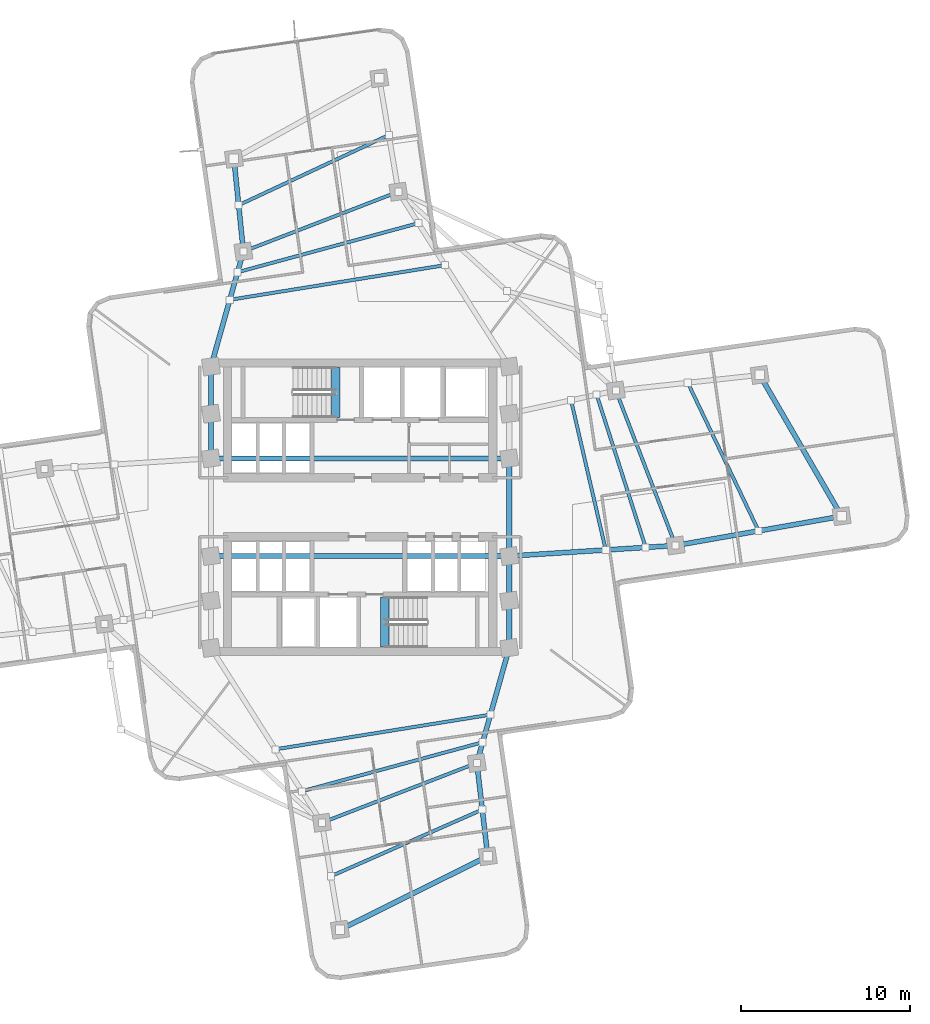
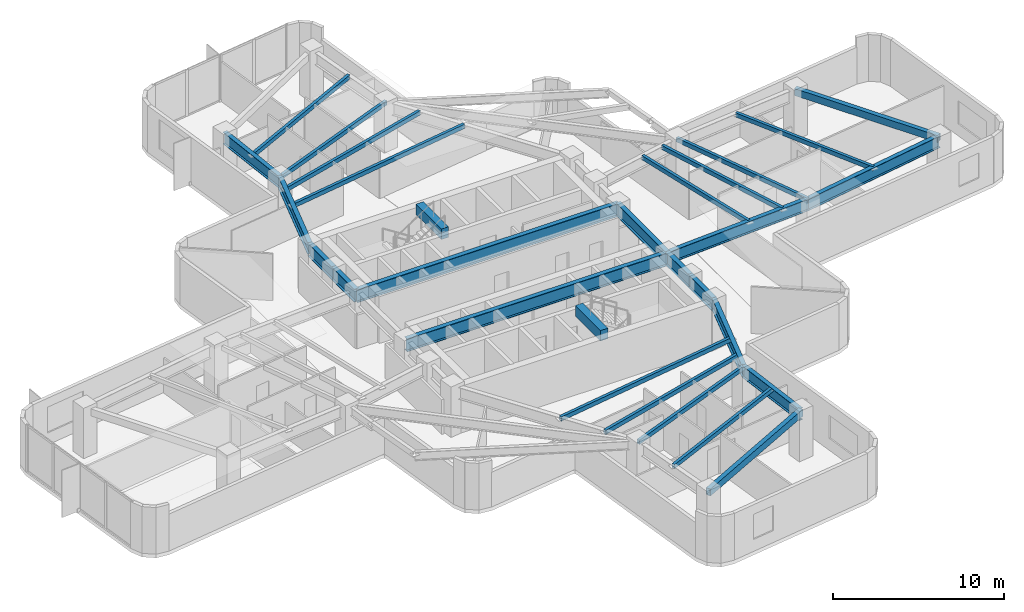
# One storey, part 3 of 13: 29 beams.
"""IFC4 building model written with IfcOpenShell, lengths in metres."""

from ifc_helpers import new_model, si_unit, direction, frame, origin, origin_2d, place, context, subcontext, project, spatial, rectangle, hollow_rectangle, i_section, extrude, material, material_profile, profile_set, type_object, element, save


model = new_model("IFC4")

# Units and contexts
model_context = context("Model", 3, precision=1e-05, world=origin(), true_north=direction((0.0, 1.0)))
body_context = subcontext(model_context, "Body", "Model", "MODEL_VIEW")
ifc_project = project(units=[si_unit("LENGTHUNIT", "METRE"), si_unit("AREAUNIT", "SQUARE_METRE"), si_unit("VOLUMEUNIT", "CUBIC_METRE"), si_unit("PLANEANGLEUNIT", "RADIAN"), si_unit("MASSUNIT", "GRAM", prefix="KILO")], contexts=[model_context])

# Site, building, storey
site_placement = place(None, origin())
site = spatial("IfcSite", under=ifc_project, at=site_placement, CompositionType="ELEMENT")
building_placement = place(site_placement, origin())
building = spatial("IfcBuilding", under=site, at=building_placement, Name="Solmarez Civic Tower", CompositionType="ELEMENT")
storey_placement = place(building_placement, frame((0.0, 0.0, 89.280029296875)))
storey = spatial("IfcBuildingStorey", under=building, at=storey_placement, Name="L23", CompositionType="ELEMENT", Elevation=89.280029296875)

# Beams
ifc_material_1 = material(Name="Steel S355", Category="steel")
ifc_material_profile_1 = material_profile(ifc_material_1, hollow_rectangle(XDim=0.199951171875, YDim=0.300048828125, WallThickness=0.011962890625, at=origin_2d()), Name="HSS300X200X12")
ifc_profile_set_1 = profile_set([ifc_material_profile_1], Name="Steel S355")
beam_type_1 = type_object("IfcBeamType", Name="BM-JS-HSS300X200", PredefinedType="JOIST", material=ifc_profile_set_1)
beam_1_placement = place(storey_placement, frame((18.72412109375, -2.27099609375, 3.18994140625), z_axis=(-0.359984466214, 0.932958297077, 0.0), x_axis=(-0.932958297077, -0.359984466214, 0.0)))
element("IfcBeam", 1, at=beam_1_placement, inside=storey, type_object=beam_type_1, Name="L23 Secondary Floor Joist BM-L23-EA-T1", PredefinedType="JOIST", context=body_context, shape_type="SweptSolid", body=[
    extrude(hollow_rectangle(XDim=0.199951171875, YDim=0.300048828125, WallThickness=0.011962890625, at=origin_2d()), origin(), (0.0, 0.0, 1.0), 9.85888671875),
])
beam_2_placement = place(storey_placement, frame((23.64990234375, -1.402099609375, 3.18994140625), z_axis=(-0.431491843414, 0.902116837814, 0.0), x_axis=(-0.902116837814, -0.431491843414, 0.0)))
element("IfcBeam", 2, at=beam_2_placement, inside=storey, type_object=beam_type_1, Name="L23 Secondary Floor Joist JS-L23-EA-M2", PredefinedType="JOIST", context=body_context, shape_type="SweptSolid", body=[
    extrude(hollow_rectangle(XDim=0.199951171875, YDim=0.300048828125, WallThickness=0.011962890625, at=origin_2d()), origin(), (0.0, 0.0, 1.0), 9.744873046875),
])
beam_3_placement = place(storey_placement, frame((14.576904296875, -2.534912109375, 3.18994140625), z_axis=(-0.225762717226, 0.974182321494, 0.0), x_axis=(-0.974182321494, -0.225762717226, 0.0)))
element("IfcBeam", 3, at=beam_3_placement, inside=storey, type_object=beam_type_1, Name="L23 Secondary Floor Joist JS-L23-EA-M11", PredefinedType="JOIST", context=body_context, shape_type="SweptSolid", body=[
    extrude(hollow_rectangle(XDim=0.199951171875, YDim=0.300048828125, WallThickness=0.011962890625, at=origin_2d()), origin(), (0.0, 0.0, 1.0), 9.119384765625),
])
beam_4_placement = place(storey_placement, frame((16.947021484375, -2.384033203125, 3.18994140625), z_axis=(-0.305705295997, 0.952126184914, 0.0), x_axis=(-0.952126184914, -0.305705295997, 0.0)))
element("IfcBeam", 4, at=beam_4_placement, inside=storey, type_object=beam_type_1, Name="L23 Secondary Floor Joist JS-L23-EA-M12", PredefinedType="JOIST", context=body_context, shape_type="SweptSolid", body=[
    extrude(hollow_rectangle(XDim=0.199951171875, YDim=0.300048828125, WallThickness=0.011962890625, at=origin_2d()), origin(), (0.0, 0.0, 1.0), 9.518798828125),
])
beam_5_placement = place(storey_placement, frame((2.27099609375, 18.72412109375, 3.18994140625), z_axis=(-0.932958297077, -0.359984466214, 0.0), x_axis=(0.359984466214, -0.932958297077, 0.0)))
element("IfcBeam", 5, at=beam_5_placement, inside=storey, type_object=beam_type_1, Name="L23 Secondary Floor Joist BM-L23-NA-T1", PredefinedType="JOIST", context=body_context, shape_type="SweptSolid", body=[
    extrude(hollow_rectangle(XDim=0.199951171875, YDim=0.300048828125, WallThickness=0.011962890625, at=origin_2d()), origin(), (0.0, 0.0, 1.0), 9.85888671875),
])
beam_6_placement = place(storey_placement, frame((1.705078125, 22.090087890625, 3.18994140625), z_axis=(-0.906041066986, -0.423189774138, 0.0), x_axis=(0.423189774138, -0.906041066986, 0.0)))
element("IfcBeam", 6, at=beam_6_placement, inside=storey, type_object=beam_type_1, Name="L23 Secondary Floor Joist JS-L23-NA-M2", PredefinedType="JOIST", context=body_context, shape_type="SweptSolid", body=[
    extrude(hollow_rectangle(XDim=0.199951171875, YDim=0.300048828125, WallThickness=0.011962890625, at=origin_2d()), origin(), (0.0, 0.0, 1.0), 9.83740234375),
])
beam_7_placement = place(storey_placement, frame((5.033935546875, 14.366943359375, 3.18994140625), z_axis=(-0.987261309887, -0.159107215423, 0.0), x_axis=(0.159107215423, -0.987261309887, 0.0)))
element("IfcBeam", 7, at=beam_7_placement, inside=storey, type_object=beam_type_1, Name="L23 Secondary Floor Joist JS-L23-NA-M11", PredefinedType="JOIST", context=body_context, shape_type="SweptSolid", body=[
    extrude(hollow_rectangle(XDim=0.199951171875, YDim=0.300048828125, WallThickness=0.011962890625, at=origin_2d()), origin(), (0.0, 0.0, 1.0), 12.933837890625),
])
beam_8_placement = place(storey_placement, frame((3.455078125, 16.85693359375, 3.18994140625), z_axis=(-0.965126314795, -0.261784637614, 0.0), x_axis=(0.261784637614, -0.965126314795, 0.0)))
element("IfcBeam", 8, at=beam_8_placement, inside=storey, type_object=beam_type_1, Name="L23 Secondary Floor Joist JS-L23-NA-M12", PredefinedType="JOIST", context=body_context, shape_type="SweptSolid", body=[
    extrude(hollow_rectangle(XDim=0.199951171875, YDim=0.300048828125, WallThickness=0.011962890625, at=origin_2d()), origin(), (0.0, 0.0, 1.0), 11.11572265625),
])
beam_9_placement = place(storey_placement, frame((-2.27099609375, -18.72412109375, 3.18994140625), z_axis=(0.932958297077, 0.359984466214, 0.0), x_axis=(-0.359984466214, 0.932958297077, 0.0)))
element("IfcBeam", 9, at=beam_9_placement, inside=storey, type_object=beam_type_1, Name="L23 Secondary Floor Joist BM-L23-SA-T1", PredefinedType="JOIST", context=body_context, shape_type="SweptSolid", body=[
    extrude(hollow_rectangle(XDim=0.199951171875, YDim=0.300048828125, WallThickness=0.011962890625, at=origin_2d()), origin(), (0.0, 0.0, 1.0), 9.85888671875),
])
beam_10_placement = place(storey_placement, frame((-1.73291015625, -21.89892578125, 3.18994140625), z_axis=(0.915226616427, 0.402939499905, 0.0), x_axis=(-0.402939499905, 0.915226616427, 0.0)))
element("IfcBeam", 10, at=beam_10_placement, inside=storey, type_object=beam_type_1, Name="L23 Secondary Floor Joist JS-L23-SA-M2", PredefinedType="JOIST", context=body_context, shape_type="SweptSolid", body=[
    extrude(hollow_rectangle(XDim=0.199951171875, YDim=0.300048828125, WallThickness=0.011962890625, at=origin_2d()), origin(), (0.0, 0.0, 1.0), 9.81494140625),
])
beam_11_placement = place(storey_placement, frame((-5.033935546875, -14.366943359375, 3.18994140625), z_axis=(0.987261309887, 0.159107215423, 0.0), x_axis=(-0.159107215423, 0.987261309887, 0.0)))
element("IfcBeam", 11, at=beam_11_placement, inside=storey, type_object=beam_type_1, Name="L23 Secondary Floor Joist JS-L23-SA-M11", PredefinedType="JOIST", context=body_context, shape_type="SweptSolid", body=[
    extrude(hollow_rectangle(XDim=0.199951171875, YDim=0.300048828125, WallThickness=0.011962890625, at=origin_2d()), origin(), (0.0, 0.0, 1.0), 12.933837890625),
])
beam_12_placement = place(storey_placement, frame((-3.455078125, -16.85693359375, 3.18994140625), z_axis=(0.965126314795, 0.261784637614, 0.0), x_axis=(-0.261784637614, 0.965126314795, 0.0)))
element("IfcBeam", 12, at=beam_12_placement, inside=storey, type_object=beam_type_1, Name="L23 Secondary Floor Joist JS-L23-SA-M12", PredefinedType="JOIST", context=body_context, shape_type="SweptSolid", body=[
    extrude(hollow_rectangle(XDim=0.199951171875, YDim=0.300048828125, WallThickness=0.011962890625, at=origin_2d()), origin(), (0.0, 0.0, 1.0), 11.11572265625),
])
ifc_material_2 = material(Name="Concrete C50/60", Category="concrete")
ifc_material_profile_2 = material_profile(ifc_material_2, rectangle(XDim=0.5, YDim=0.75, at=origin_2d()), Name="RC500X750")
ifc_profile_set_2 = profile_set([ifc_material_profile_2], Name="Concrete C50/60")
beam_type_2 = type_object("IfcBeamType", Name="BM-PR-RC500X750", PredefinedType="BEAM", material=ifc_profile_set_2)
for number, where, z_axis, x_axis, name in (
    (13, (-1.449951171875, 5.340087890625, 3.23291015625), (0.0, 1.0, 0.0), (-1.0, 0.0, 0.0), "L23 North Stair Threshold Beam"),
    (14, (1.449951171875, -8.300048828125, 3.23291015625), (0.0, 1.0, 0.0), (-1.0, 0.0, 0.0), "L23 South Stair Threshold Beam"),
):
    element("IfcBeam", number, at=place(storey_placement, frame(where, z_axis=z_axis, x_axis=x_axis)), inside=storey, type_object=beam_type_2, Name=name, PredefinedType="BEAM", context=body_context, shape_type="SweptSolid", body=[
        extrude(rectangle(XDim=0.5, YDim=0.75, at=origin_2d()), origin(), (0.0, 0.0, 1.0), 2.9599609375),
    ])
ifc_material_profile_3 = material_profile(ifc_material_1, i_section(OverallWidth=0.2919921875, OverallDepth=0.845947265625, WebThickness=0.015380859375, FlangeThickness=0.0244140625, at=origin_2d()), Name="W33X141")
ifc_profile_set_3 = profile_set([ifc_material_profile_3], Name="Steel S355")
beam_type_3 = type_object("IfcBeamType", Name="BM-PR-W33X141", PredefinedType="BEAM", material=ifc_profile_set_3)
beam_13_placement = place(storey_placement, frame((8.85009765625, -2.89990234375, 2.9169921875), z_axis=(0.997977751208, 0.063564204508, 0.0), x_axis=(-0.063564204508, 0.997977751208, 0.0)))
element("IfcBeam", 15, at=beam_13_placement, inside=storey, type_object=beam_type_3, Name="L23 Primary Floor Beam BM-L23-EA-R1A", PredefinedType="BEAM", context=body_context, shape_type="SweptSolid", body=[
    extrude(i_section(OverallWidth=0.2919921875, OverallDepth=0.845947265625, WebThickness=0.015380859375, FlangeThickness=0.0244140625, at=origin_2d()), origin(), (0.0, 0.0, 1.0), 9.89404296875),
])
beam_14_placement = place(storey_placement, frame((18.72412109375, -2.27099609375, 2.9169921875), z_axis=(0.984792402105, 0.173735214497, 0.0), x_axis=(-0.173735214497, 0.984792402105, 0.0)))
element("IfcBeam", 16, at=beam_14_placement, inside=storey, type_object=beam_type_3, Name="L23 Primary Floor Beam BM-L23-EA-R2A", PredefinedType="BEAM", context=body_context, shape_type="SweptSolid", body=[
    extrude(i_section(OverallWidth=0.2919921875, OverallDepth=0.845947265625, WebThickness=0.015380859375, FlangeThickness=0.0244140625, at=origin_2d()), origin(), (0.0, 0.0, 1.0), 10.00390625),
])
beam_15_placement = place(storey_placement, frame((-8.85009765625, 8.35009765625, 2.9169921875), z_axis=(0.271213183726, 0.962519303169, 0.0), x_axis=(-0.962519303169, 0.271213183726, 0.0)))
element("IfcBeam", 17, at=beam_15_placement, inside=storey, type_object=beam_type_3, Name="L23 Primary Floor Beam BM-L23-NA-R1B", PredefinedType="BEAM", context=body_context, shape_type="SweptSolid", body=[
    extrude(i_section(OverallWidth=0.2919921875, OverallDepth=0.845947265625, WebThickness=0.015380859375, FlangeThickness=0.0244140625, at=origin_2d()), origin(), (0.0, 0.0, 1.0), 7.0908203125),
])
beam_16_placement = place(storey_placement, frame((-6.927001953125, 15.175048828125, 2.9169921875), z_axis=(-0.101583208843, 0.994827046115, 0.0), x_axis=(-0.994827046115, -0.101583208843, 0.0)))
element("IfcBeam", 18, at=beam_16_placement, inside=storey, type_object=beam_type_3, Name="L23 Primary Floor Beam BM-L23-NA-R2B", PredefinedType="BEAM", context=body_context, shape_type="SweptSolid", body=[
    extrude(i_section(OverallWidth=0.2919921875, OverallDepth=0.845947265625, WebThickness=0.015380859375, FlangeThickness=0.0244140625, at=origin_2d()), origin(), (0.0, 0.0, 1.0), 5.532470703125),
])
beam_17_placement = place(storey_placement, frame((8.85009765625, -8.35009765625, 2.9169921875), z_axis=(-0.271213183726, -0.962519303169, 0.0), x_axis=(0.962519303169, -0.271213183726, 0.0)))
element("IfcBeam", 19, at=beam_17_placement, inside=storey, type_object=beam_type_3, Name="L23 Primary Floor Beam BM-L23-SA-R1B", PredefinedType="BEAM", context=body_context, shape_type="SweptSolid", body=[
    extrude(i_section(OverallWidth=0.2919921875, OverallDepth=0.845947265625, WebThickness=0.015380859375, FlangeThickness=0.0244140625, at=origin_2d()), origin(), (0.0, 0.0, 1.0), 7.0908203125),
])
beam_18_placement = place(storey_placement, frame((6.927001953125, -15.175048828125, 2.9169921875), z_axis=(0.11601314993, -0.993247677593, 0.0), x_axis=(0.993247677593, 0.11601314993, 0.0)))
element("IfcBeam", 20, at=beam_18_placement, inside=storey, type_object=beam_type_3, Name="L23 Primary Floor Beam BM-L23-SA-R2B", PredefinedType="BEAM", context=body_context, shape_type="SweptSolid", body=[
    extrude(i_section(OverallWidth=0.2919921875, OverallDepth=0.845947265625, WebThickness=0.015380859375, FlangeThickness=0.0244140625, at=origin_2d()), origin(), (0.0, 0.0, 1.0), 5.57666015625),
])
ifc_material_profile_4 = material_profile(ifc_material_1, i_section(OverallWidth=0.306884765625, OverallDepth=0.927001953125, WebThickness=0.019287109375, FlangeThickness=0.031982421875, at=origin_2d()), Name="W36X194")
ifc_profile_set_4 = profile_set([ifc_material_profile_4], Name="Steel S355")
beam_type_4 = type_object("IfcBeamType", Name="BM-PR-W36X194", PredefinedType="BEAM", material=ifc_profile_set_4)
beam_19_placement = place(storey_placement, frame((-8.85009765625, 2.89990234375, 2.876953125), z_axis=(0.0, 1.0, 0.0), x_axis=(-1.0, 0.0, 0.0)))
element("IfcBeam", 21, at=beam_19_placement, inside=storey, type_object=beam_type_4, Name="L23 Primary Floor Beam BM-L23-HC3-HC4", PredefinedType="BEAM", context=body_context, shape_type="SweptSolid", body=[
    extrude(i_section(OverallWidth=0.306884765625, OverallDepth=0.927001953125, WebThickness=0.019287109375, FlangeThickness=0.031982421875, at=origin_2d()), origin(), (0.0, 0.0, 1.0), 2.650146484375),
])
for number, where, z_axis, x_axis, name in (
    (22, (-8.85009765625, 5.550048828125, 2.876953125), (0.0, 1.0, 0.0), (-1.0, 0.0, 0.0), "L23 Primary Floor Beam BM-L23-HC4-HC9"),
    (23, (8.85009765625, -8.35009765625, 2.876953125), (0.0, 1.0, 0.0), (-1.0, 0.0, 0.0), "L23 Primary Floor Beam BM-L23-HC10-HC5"),
):
    element("IfcBeam", number, at=place(storey_placement, frame(where, z_axis=z_axis, x_axis=x_axis)), inside=storey, type_object=beam_type_4, Name=name, PredefinedType="BEAM", context=body_context, shape_type="SweptSolid", body=[
        extrude(i_section(OverallWidth=0.306884765625, OverallDepth=0.927001953125, WebThickness=0.019287109375, FlangeThickness=0.031982421875, at=origin_2d()), origin(), (0.0, 0.0, 1.0), 2.800048828125),
    ])
beam_20_placement = place(storey_placement, frame((8.85009765625, -5.550048828125, 2.876953125), z_axis=(0.0, 1.0, 0.0), x_axis=(-1.0, 0.0, 0.0)))
element("IfcBeam", 24, at=beam_20_placement, inside=storey, type_object=beam_type_4, Name="L23 Primary Floor Beam BM-L23-HC5-HC6", PredefinedType="BEAM", context=body_context, shape_type="SweptSolid", body=[
    extrude(i_section(OverallWidth=0.306884765625, OverallDepth=0.927001953125, WebThickness=0.019287109375, FlangeThickness=0.031982421875, at=origin_2d()), origin(), (0.0, 0.0, 1.0), 2.650146484375),
])
beam_21_placement = place(storey_placement, frame((8.85009765625, -2.89990234375, 2.876953125), z_axis=(0.0, 1.0, 0.0), x_axis=(-1.0, 0.0, 0.0)))
element("IfcBeam", 25, at=beam_21_placement, inside=storey, type_object=beam_type_4, Name="L23 Primary Floor Beam BM-L23-HC6-HC7", PredefinedType="BEAM", context=body_context, shape_type="SweptSolid", body=[
    extrude(i_section(OverallWidth=0.306884765625, OverallDepth=0.927001953125, WebThickness=0.019287109375, FlangeThickness=0.031982421875, at=origin_2d()), origin(), (0.0, 0.0, 1.0), 5.7998046875),
])
for number, where, z_axis, x_axis, name in (
    (26, (-8.85009765625, -2.89990234375, 2.876953125), (1.0, 0.0, 0.0), (0.0, 1.0, 0.0), "L23 Primary Floor Beam BM-L23-HC2-HC6"),
    (27, (-8.85009765625, 2.89990234375, 2.876953125), (1.0, 0.0, 0.0), (0.0, 1.0, 0.0), "L23 Primary Floor Beam BM-L23-HC3-HC7"),
):
    element("IfcBeam", number, at=place(storey_placement, frame(where, z_axis=z_axis, x_axis=x_axis)), inside=storey, type_object=beam_type_4, Name=name, PredefinedType="BEAM", context=body_context, shape_type="SweptSolid", body=[
        extrude(i_section(OverallWidth=0.306884765625, OverallDepth=0.927001953125, WebThickness=0.019287109375, FlangeThickness=0.031982421875, at=origin_2d()), origin(), (0.0, 0.0, 1.0), 17.7001953125),
    ])
ifc_material_profile_5 = material_profile(ifc_material_1, hollow_rectangle(XDim=0.300048828125, YDim=0.5, WallThickness=0.02001953125, at=origin_2d()), Name="HSS500X300X20")
ifc_profile_set_5 = profile_set([ifc_material_profile_5], Name="Steel S355")
beam_type_5 = type_object("IfcBeamType", Name="BM-SP-HSS500X300", PredefinedType="SPANDREL", material=ifc_profile_set_5)
beam_22_placement = place(storey_placement, frame((28.575927734375, -0.532958984375, 3.090087890625), z_axis=(-0.501571424933, 0.865116238254, 0.0), x_axis=(-0.865116238254, -0.501571424933, 0.0)))
element("IfcBeam", 28, at=beam_22_placement, inside=storey, type_object=beam_type_5, Name="L23 Perimeter Spandrel Beam BM-L23-EA-T2", PredefinedType="SPANDREL", context=body_context, shape_type="SweptSolid", body=[
    extrude(hollow_rectangle(XDim=0.300048828125, YDim=0.5, WallThickness=0.02001953125, at=origin_2d()), origin(), (0.0, 0.0, 1.0), 9.691162109375),
])
beam_23_placement = place(storey_placement, frame((-1.195068359375, -25.073974609375, 3.090087890625), z_axis=(0.895432090654, 0.445198125589, 0.0), x_axis=(-0.445198125589, 0.895432090654, 0.0)))
element("IfcBeam", 29, at=beam_23_placement, inside=storey, type_object=beam_type_5, Name="L23 Perimeter Spandrel Beam BM-L23-SA-T2", PredefinedType="SPANDREL", context=body_context, shape_type="SweptSolid", body=[
    extrude(hollow_rectangle(XDim=0.300048828125, YDim=0.5, WallThickness=0.02001953125, at=origin_2d()), origin(), (0.0, 0.0, 1.0), 9.79296875),
])

save(model, "model.ifc")
